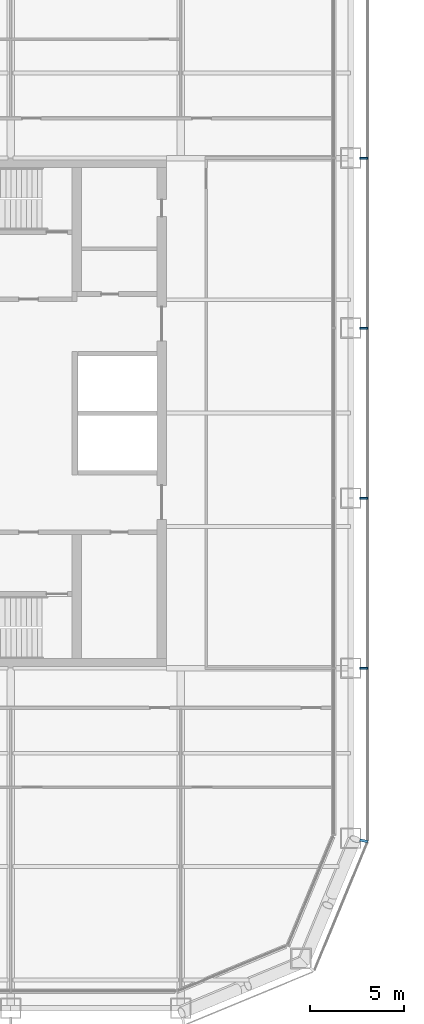
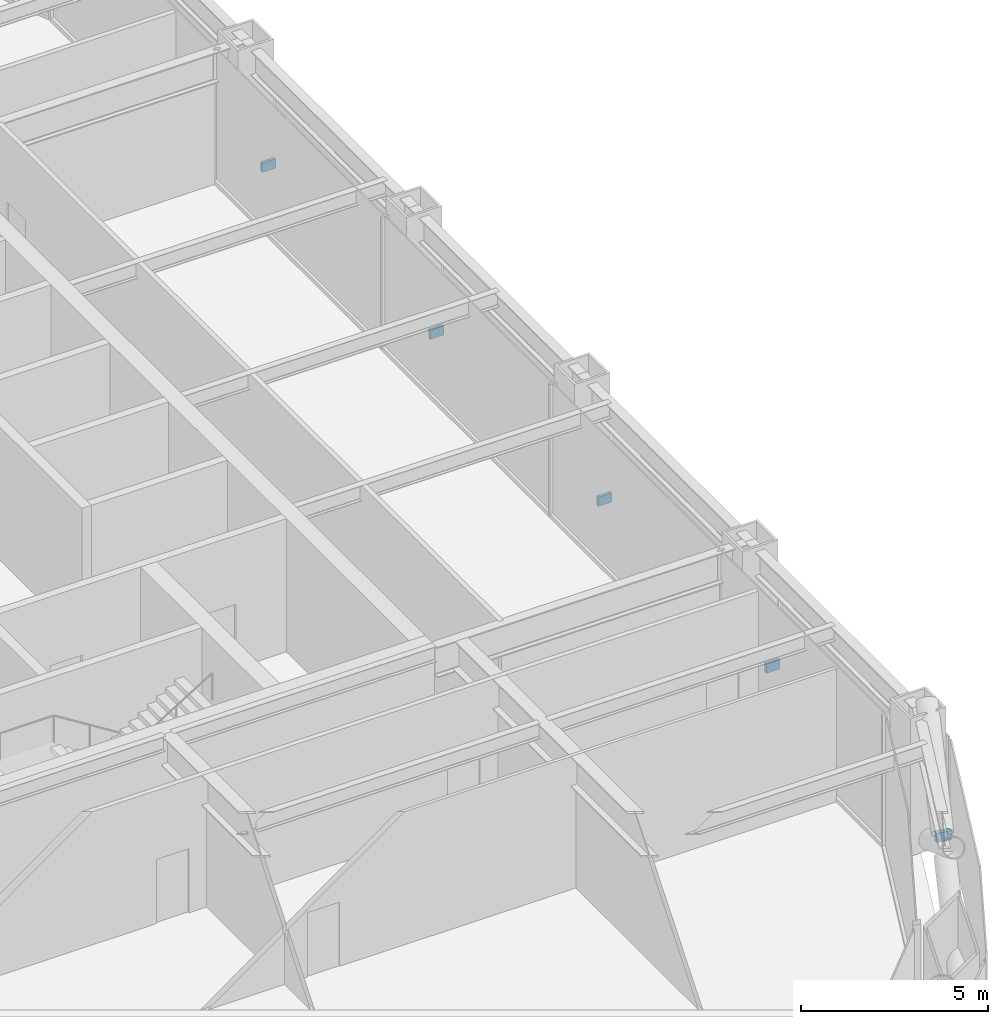
# One storey, part 21 of 30: 5 discrete accessories.
"""IFC4 building model written with IfcOpenShell, lengths in metres."""

from ifc_helpers import new_model, si_unit, direction, frame, origin, origin_2d, place, context, subcontext, project, spatial, rectangle, extrude, material, type_object, element, save


model = new_model("IFC4")

# Units and contexts
model_context = context("Model", 3, precision=1e-05, world=origin(), true_north=direction((0.0, 1.0)))
body_context = subcontext(model_context, "Body", "Model", "MODEL_VIEW")
ifc_project = project(units=[si_unit("LENGTHUNIT", "METRE"), si_unit("AREAUNIT", "SQUARE_METRE"), si_unit("VOLUMEUNIT", "CUBIC_METRE"), si_unit("PLANEANGLEUNIT", "RADIAN"), si_unit("MASSUNIT", "GRAM", prefix="KILO")], contexts=[model_context])

# Site, building, storey
site_placement = place(None, origin())
site = spatial("IfcSite", under=ifc_project, at=site_placement, CompositionType="ELEMENT")
building_placement = place(site_placement, origin())
building = spatial("IfcBuilding", under=site, at=building_placement, Name="Siwar Civic Tower", CompositionType="ELEMENT")
storey_placement = place(building_placement, frame((0.0, 0.0, 26.699951171875)))
storey = spatial("IfcBuildingStorey", under=building, at=storey_placement, Name="L05", CompositionType="ELEMENT", Elevation=26.699951171875)

# Discrete accessories
ifc_material = material(Name="Stainless steel 316", Category="steel")
discrete_accessory_type = type_object("IfcDiscreteAccessoryType", Name="ENV-BRACKET", PredefinedType="BRACKET", material=ifc_material)
for number, where, z_axis, x_axis, name in (
    (1, (32.18994140625, -13.5, -0.14990234375), (0.0, 0.0, 1.0), (1.0, 0.0, 0.0), "Bracket outer skin joint E-01"),
    (2, (32.18994140625, -4.5, -0.14990234375), (0.0, 0.0, 1.0), (1.0, 0.0, 0.0), "Bracket outer skin joint E-02"),
    (3, (32.18994140625, 4.5, -0.14990234375), (0.0, 0.0, 1.0), (1.0, 0.0, 0.0), "Bracket outer skin joint E-03"),
    (4, (32.18994140625, 13.5, -0.14990234375), (0.0, 0.0, 1.0), (1.0, 0.0, 0.0), "Bracket outer skin joint E-04"),
):
    element("IfcDiscreteAccessory", number, at=place(storey_placement, frame(where, z_axis=z_axis, x_axis=x_axis)), inside=storey, type_object=discrete_accessory_type, Name=name, PredefinedType="BRACKET", context=body_context, shape_type="SweptSolid", body=[
        extrude(rectangle(XDim=0.419921875, YDim=0.10009765625, at=origin_2d()), origin(), (0.0, 0.0, 1.0), 0.300048828125),
    ])
discrete_accessory_placement = place(storey_placement, frame((32.190185546875, -22.63720703125, -0.14990234375), z_axis=(0.0, 0.0, 1.0), x_axis=(0.980785280403, -0.195090322016, 0.0)))
element("IfcDiscreteAccessory", 5, at=discrete_accessory_placement, inside=storey, type_object=discrete_accessory_type, Name="Bracket outer skin joint V03", PredefinedType="BRACKET", context=body_context, shape_type="SweptSolid", body=[
    extrude(rectangle(XDim=0.427734375, YDim=0.13720703125, at=origin_2d()), origin(), (0.0, 0.0, 1.0), 0.300048828125),
])

save(model, "model.ifc")
